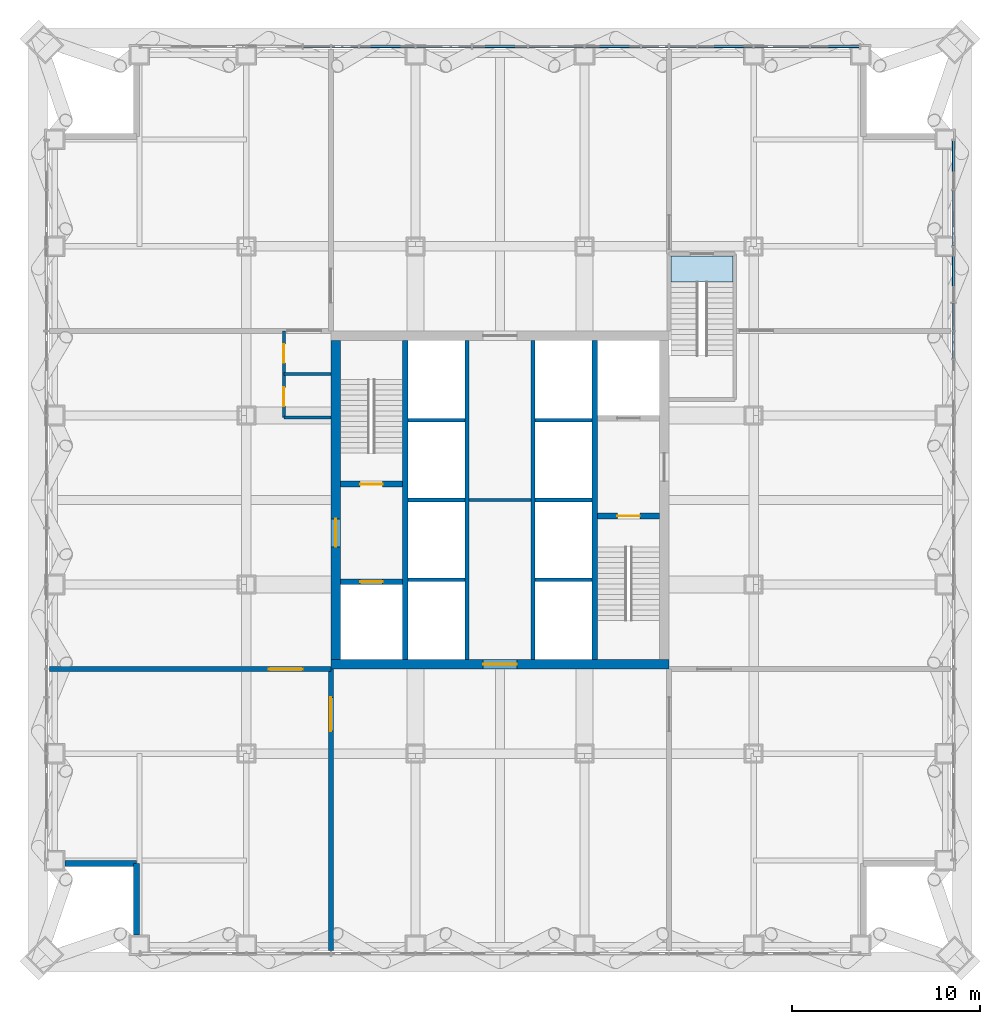
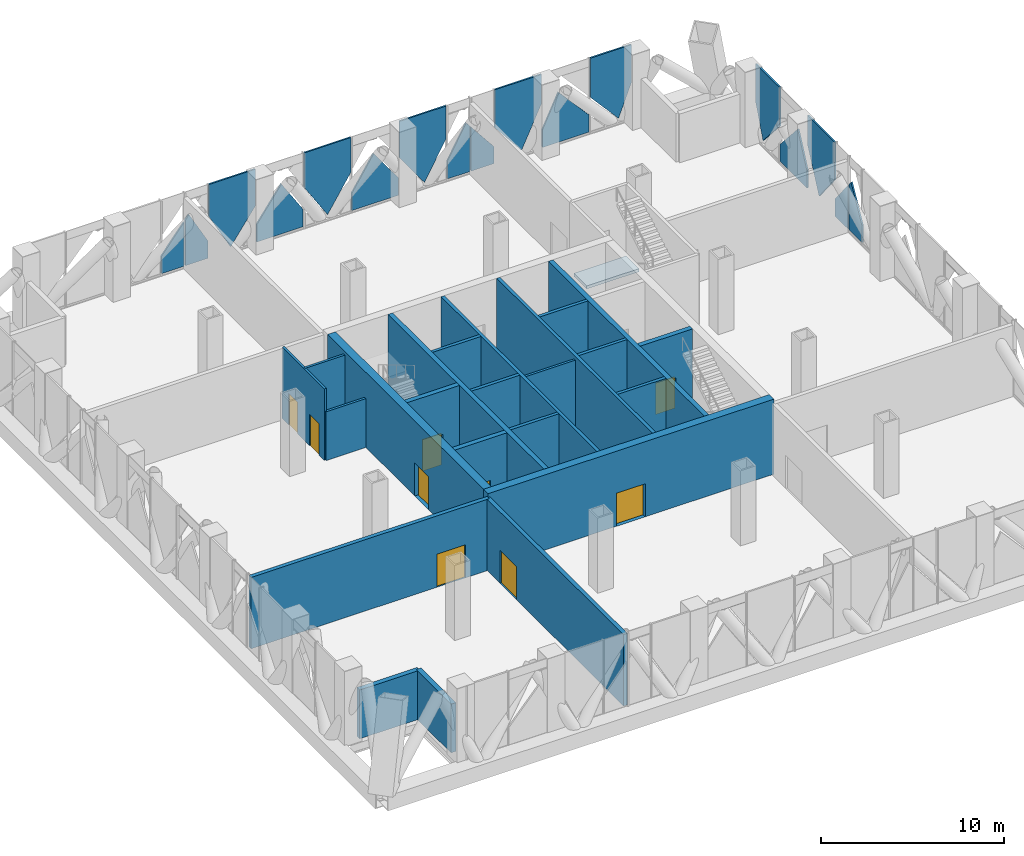
# One storey, part 14 of 29: 23 walls, 17 plates, 9 doors, 1 slab, 9 openings, 3 elements without a shape of their own.
"""IFC4 building model written with IfcOpenShell, lengths in metres."""

from ifc_helpers import new_model, si_unit, direction, frame, frame_2d, origin, place, context, subcontext, project, spatial, polyline, rectangle, outline, extrude, material, layer, layer_set, type_object, element, fill, aggregate, save


model = new_model("IFC4")

# Units and contexts
model_context = context("Model", 3, precision=1e-05, world=origin(), true_north=direction((0.0, 1.0)))
body_context = subcontext(model_context, "Body", "Model", "MODEL_VIEW")
ifc_project = project(units=[si_unit("LENGTHUNIT", "METRE"), si_unit("AREAUNIT", "SQUARE_METRE"), si_unit("VOLUMEUNIT", "CUBIC_METRE"), si_unit("PLANEANGLEUNIT", "RADIAN"), si_unit("MASSUNIT", "GRAM", prefix="KILO")], contexts=[model_context])

# Site, building, storey
site_placement = place(None, origin())
site = spatial("IfcSite", under=ifc_project, at=site_placement, CompositionType="ELEMENT")
building_placement = place(site_placement, origin())
building = spatial("IfcBuilding", under=site, at=building_placement, Name="Malebo Sky Hospital", CompositionType="ELEMENT")
storey_placement = place(building_placement, frame((0.0, 0.0, 172.0)))
storey = spatial("IfcBuildingStorey", under=building, at=storey_placement, Name="L41", CompositionType="ELEMENT", Elevation=172.0)

# Curtain wall, plates
ifc_material_1 = material(Name="Anodised aluminium, natural silver", Category="aluminium")
ifc_layer_1 = layer(ifc_material_1, 0.25)
ifc_layer_set_1 = layer_set([ifc_layer_1], Name="PLANT LOUVRE SCREEN")
curtain_wall_type = type_object("IfcCurtainWallType", Name="PLANT LOUVRE SCREEN", PredefinedType="NOTDEFINED", material=ifc_layer_set_1)
curtain_wall_1_placement = place(storey_placement, origin())
curtain_wall_1 = element("IfcCurtainWall", 1, at=curtain_wall_1_placement, inside=storey, type_object=curtain_wall_type, Name="PLANT curtain wall N", PredefinedType="NOTDEFINED")
ifc_layer_2 = layer(ifc_material_1, 0.10009765625)
ifc_layer_set_2 = layer_set([ifc_layer_2], Name="LOUVRE PANEL 100")
plate_type = type_object("IfcPlateType", Name="LOUVRE PANEL 100", PredefinedType="CURTAIN_PANEL", material=ifc_layer_set_2)
plate_1_placement = place(storey_placement, frame((50.25, 86.135009765625, 0.10009765625), z_axis=(0.0, 0.0, 1.0), x_axis=(1.0, 0.0, 0.0)))
plate_1 = element("IfcPlate", 2, at=plate_1_placement, type_object=plate_type, Name="Panel 4", PredefinedType="CURTAIN_PANEL", context=body_context, shape_type="SweptSolid", body=[
    extrude(outline(polyline([(-0.71240234375, 0.0), (0.71240234375, 0.0), (0.71240234375, 2.926513671875), (-0.71240234375, 1.14404296875), (-0.71240234375, 0.0)])), frame((0.0, 0.050048828125, 0.0), z_axis=(0.0, -1.0, 0.0), x_axis=(1.0, 0.0, 0.0)), (0.0, 0.0, 1.0), 0.10009765625),
])
plate_2_placement = place(storey_placement, frame((51.75, 86.135009765625, 0.10009765625), z_axis=(0.0, 0.0, 1.0), x_axis=(1.0, 0.0, 0.0)))
plate_2 = element("IfcPlate", 3, at=plate_2_placement, type_object=plate_type, Name="Panel 5", PredefinedType="CURTAIN_PANEL", context=body_context, shape_type="SweptSolid", body=[
    extrude(outline(polyline([(-0.71240234375, 0.0), (0.71240234375, 0.0), (0.71240234375, 1.166015625), (-0.475341796875, 3.31689453125), (-0.71240234375, 3.020263671875), (-0.71240234375, 0.0)])), frame((0.0, 0.050048828125, 0.0), z_axis=(0.0, -1.0, 0.0), x_axis=(1.0, 0.0, 0.0)), (0.0, 0.0, 1.0), 0.10009765625),
])
plate_3_placement = place(storey_placement, frame((54.0, 86.135009765625, 0.36572265625), z_axis=(0.0, 0.0, 1.0), x_axis=(1.0, 0.0, 0.0)))
plate_3 = element("IfcPlate", 4, at=plate_3_placement, type_object=plate_type, Name="Panel 6", PredefinedType="CURTAIN_PANEL", context=body_context, shape_type="SweptSolid", body=[
    extrude(outline(polyline([(-0.105224609375, 0.0), (1.46240234375, 2.186279296875), (1.46240234375, 4.624267578125), (-1.46240234375, 4.624267578125), (-1.46240234375, 2.45751953125), (-0.105224609375, 0.0)])), frame((0.0, 0.050048828125, 0.0), z_axis=(0.0, -1.0, 0.0), x_axis=(1.0, 0.0, 0.0)), (0.0, 0.0, 1.0), 0.10009765625),
])
plate_4_placement = place(storey_placement, frame((57.0, 86.135009765625, 0.099853515625), z_axis=(0.0, 0.0, 1.0), x_axis=(1.0, 0.0, 0.0)))
plate_4 = element("IfcPlate", 5, at=plate_4_placement, type_object=plate_type, Name="Panel 7", PredefinedType="CURTAIN_PANEL", context=body_context, shape_type="SweptSolid", body=[
    extrude(outline(polyline([(-1.46240234375, 0.0), (1.46240234375, 0.0), (1.46240234375, 1.156982421875), (0.091552734375, 3.3173828125), (-1.46240234375, 1.14990234375), (-1.46240234375, 0.0)])), frame((0.0, 0.050048828125, 0.0), z_axis=(0.0, -1.0, 0.0), x_axis=(1.0, 0.0, 0.0)), (0.0, 0.0, 1.0), 0.10009765625),
])
plate_5_placement = place(storey_placement, frame((60.0, 86.135009765625, 0.36572265625), z_axis=(0.0, 0.0, 1.0), x_axis=(1.0, 0.0, 0.0)))
plate_5 = element("IfcPlate", 6, at=plate_5_placement, type_object=plate_type, Name="Panel 8", PredefinedType="CURTAIN_PANEL", context=body_context, shape_type="SweptSolid", body=[
    extrude(outline(polyline([(0.0, 0.0), (1.46240234375, 2.304443359375), (1.46240234375, 4.624267578125), (-1.46240234375, 4.624267578125), (-1.46240234375, 2.304443359375), (0.0, 0.0)])), frame((0.0, 0.050048828125, 0.0), z_axis=(0.0, -1.0, 0.0), x_axis=(1.0, 0.0, 0.0)), (0.0, 0.0, 1.0), 0.10009765625),
])
plate_6_placement = place(storey_placement, frame((63.0, 86.135009765625, 0.099853515625), z_axis=(0.0, 0.0, 1.0), x_axis=(1.0, 0.0, 0.0)))
plate_6 = element("IfcPlate", 7, at=plate_6_placement, type_object=plate_type, Name="Panel 9", PredefinedType="CURTAIN_PANEL", context=body_context, shape_type="SweptSolid", body=[
    extrude(outline(polyline([(-1.46240234375, 0.0), (1.46240234375, 0.0), (1.46240234375, 1.14990234375), (-0.091552734375, 3.3173828125), (-1.46240234375, 1.156982421875), (-1.46240234375, 0.0)])), frame((0.0, 0.050048828125, 0.0), z_axis=(0.0, -1.0, 0.0), x_axis=(1.0, 0.0, 0.0)), (0.0, 0.0, 1.0), 0.10009765625),
])
plate_7_placement = place(storey_placement, frame((66.0, 86.135009765625, 0.36572265625), z_axis=(0.0, 0.0, 1.0), x_axis=(1.0, 0.0, 0.0)))
plate_7 = element("IfcPlate", 8, at=plate_7_placement, type_object=plate_type, Name="Panel 10", PredefinedType="CURTAIN_PANEL", context=body_context, shape_type="SweptSolid", body=[
    extrude(outline(polyline([(0.105224609375, 0.0), (1.46240234375, 2.45751953125), (1.46240234375, 4.624267578125), (-1.46240234375, 4.624267578125), (-1.46240234375, 2.186279296875), (0.105224609375, 0.0)])), frame((0.0, 0.050048828125, 0.0), z_axis=(0.0, -1.0, 0.0), x_axis=(1.0, 0.0, 0.0)), (0.0, 0.0, 1.0), 0.10009765625),
])
plate_8_placement = place(storey_placement, frame((68.25, 86.135009765625, 0.10009765625), z_axis=(0.0, 0.0, 1.0), x_axis=(1.0, 0.0, 0.0)))
plate_8 = element("IfcPlate", 9, at=plate_8_placement, type_object=plate_type, Name="Panel 11", PredefinedType="CURTAIN_PANEL", context=body_context, shape_type="SweptSolid", body=[
    extrude(outline(polyline([(-0.71240234375, 0.0), (0.71240234375, 0.0), (0.71240234375, 3.020263671875), (0.475341796875, 3.31689453125), (-0.71240234375, 1.166015625), (-0.71240234375, 0.0)])), frame((0.0, 0.050048828125, 0.0), z_axis=(0.0, -1.0, 0.0), x_axis=(1.0, 0.0, 0.0)), (0.0, 0.0, 1.0), 0.10009765625),
])
plate_9_placement = place(storey_placement, frame((69.75, 86.135009765625, 0.10009765625), z_axis=(0.0, 0.0, 1.0), x_axis=(1.0, 0.0, 0.0)))
plate_9 = element("IfcPlate", 10, at=plate_9_placement, type_object=plate_type, Name="Panel 12", PredefinedType="CURTAIN_PANEL", context=body_context, shape_type="SweptSolid", body=[
    extrude(outline(polyline([(-0.71240234375, 0.0), (0.71240234375, 0.0), (0.71240234375, 1.14404296875), (-0.71240234375, 2.926513671875), (-0.71240234375, 0.0)])), frame((0.0, 0.050048828125, 0.0), z_axis=(0.0, -1.0, 0.0), x_axis=(1.0, 0.0, 0.0)), (0.0, 0.0, 1.0), 0.10009765625),
])
plate_10_placement = place(storey_placement, frame((72.0, 86.135009765625, 0.365478515625), z_axis=(0.0, 0.0, 1.0), x_axis=(1.0, 0.0, 0.0)))
plate_10 = element("IfcPlate", 11, at=plate_10_placement, type_object=plate_type, Name="Panel 13", PredefinedType="CURTAIN_PANEL", context=body_context, shape_type="SweptSolid", body=[
    extrude(outline(polyline([(0.21142578125, 0.0), (1.46240234375, 2.6630859375), (1.46240234375, 4.62451171875), (-1.46240234375, 4.62451171875), (-1.46240234375, 2.09375), (0.21142578125, 0.0)])), frame((0.0, 0.050048828125, 0.0), z_axis=(0.0, -1.0, 0.0), x_axis=(1.0, 0.0, 0.0)), (0.0, 0.0, 1.0), 0.10009765625),
])
plate_11_placement = place(storey_placement, frame((75.0, 86.135009765625, 0.10009765625), z_axis=(0.0, 0.0, 1.0), x_axis=(1.0, 0.0, 0.0)))
plate_11 = element("IfcPlate", 12, at=plate_11_placement, type_object=plate_type, Name="Panel 14", PredefinedType="CURTAIN_PANEL", context=body_context, shape_type="SweptSolid", body=[
    extrude(outline(polyline([(-1.46240234375, 0.0), (1.46240234375, 0.0), (1.46240234375, 1.13818359375), (-0.458740234375, 3.316650390625), (-1.46240234375, 1.179931640625), (-1.46240234375, 0.0)])), frame((0.0, 0.050048828125, 0.0), z_axis=(0.0, -1.0, 0.0), x_axis=(1.0, 0.0, 0.0)), (0.0, 0.0, 1.0), 0.10009765625),
])
plate_12_placement = place(storey_placement, frame((77.831298828125, 86.135009765625, 0.36376953125), z_axis=(0.0, 0.0, 1.0), x_axis=(1.0, 0.0, 0.0)))
plate_12 = element("IfcPlate", 13, at=plate_12_placement, type_object=plate_type, Name="Panel 15", PredefinedType="CURTAIN_PANEL", context=body_context, shape_type="SweptSolid", body=[
    extrude(outline(polyline([(0.488037109375, 0.0), (1.293701171875, 2.079833984375), (1.293701171875, 4.626220703125), (-1.293701171875, 4.626220703125), (-1.293701171875, 2.0205078125), (0.488037109375, 0.0)])), frame((0.0, 0.050048828125, 0.0), z_axis=(0.0, -1.0, 0.0), x_axis=(1.0, 0.0, 0.0)), (0.0, 0.0, 1.0), 0.10009765625),
])
aggregate(curtain_wall_1, [plate_1, plate_2, plate_3, plate_4, plate_5, plate_6, plate_7, plate_8, plate_9, plate_10, plate_11, plate_12])

curtain_wall_2_placement = place(storey_placement, origin())
curtain_wall_2 = element("IfcCurtainWall", 14, at=curtain_wall_2_placement, inside=storey, type_object=curtain_wall_type, Name="PLANT curtain wall E", PredefinedType="NOTDEFINED")
plate_13_placement = place(storey_placement, frame((84.135009765625, 79.831298828125, 0.36376953125), z_axis=(0.0, 0.0, 1.0), x_axis=(0.0, -1.0, 0.0)))
plate_13 = element("IfcPlate", 15, at=plate_13_placement, type_object=plate_type, Name="Panel 1", PredefinedType="CURTAIN_PANEL", context=body_context, shape_type="SweptSolid", body=[
    extrude(outline(polyline([(-0.488037109375, 0.0), (1.293701171875, 2.0205078125), (1.293701171875, 4.626220703125), (-1.293701171875, 4.626220703125), (-1.293701171875, 2.079833984375), (-0.488037109375, 0.0)])), frame((0.0, 0.050048828125, 0.0), z_axis=(0.0, -1.0, 0.0), x_axis=(1.0, 0.0, 0.0)), (0.0, 0.0, 1.0), 0.10009765625),
])
plate_14_placement = place(storey_placement, frame((84.135009765625, 77.0, 0.10009765625), z_axis=(0.0, 0.0, 1.0), x_axis=(0.0, -1.0, 0.0)))
plate_14 = element("IfcPlate", 16, at=plate_14_placement, type_object=plate_type, Name="Panel 2", PredefinedType="CURTAIN_PANEL", context=body_context, shape_type="SweptSolid", body=[
    extrude(outline(polyline([(-1.46240234375, 0.0), (1.46240234375, 0.0), (1.46240234375, 1.179931640625), (0.458740234375, 3.316650390625), (-1.46240234375, 1.13818359375), (-1.46240234375, 0.0)])), frame((0.0, 0.050048828125, 0.0), z_axis=(0.0, -1.0, 0.0), x_axis=(1.0, 0.0, 0.0)), (0.0, 0.0, 1.0), 0.10009765625),
])
plate_15_placement = place(storey_placement, frame((84.135009765625, 74.0, 0.365478515625), z_axis=(0.0, 0.0, 1.0), x_axis=(0.0, -1.0, 0.0)))
plate_15 = element("IfcPlate", 17, at=plate_15_placement, type_object=plate_type, Name="Panel 3", PredefinedType="CURTAIN_PANEL", context=body_context, shape_type="SweptSolid", body=[
    extrude(outline(polyline([(-0.21142578125, 0.0), (1.46240234375, 2.09375), (1.46240234375, 4.62451171875), (-1.46240234375, 4.62451171875), (-1.46240234375, 2.6630859375), (-0.21142578125, 0.0)])), frame((0.0, 0.050048828125, 0.0), z_axis=(0.0, -1.0, 0.0), x_axis=(1.0, 0.0, 0.0)), (0.0, 0.0, 1.0), 0.10009765625),
])
plate_16_placement = place(storey_placement, frame((84.135009765625, 71.75, 0.10009765625), z_axis=(0.0, 0.0, 1.0), x_axis=(0.0, -1.0, 0.0)))
plate_16 = element("IfcPlate", 18, at=plate_16_placement, type_object=plate_type, Name="Panel 4", PredefinedType="CURTAIN_PANEL", context=body_context, shape_type="SweptSolid", body=[
    extrude(outline(polyline([(-0.71240234375, 0.0), (0.71240234375, 0.0), (0.71240234375, 2.926513671875), (-0.71240234375, 1.14404296875), (-0.71240234375, 0.0)])), frame((0.0, 0.050048828125, 0.0), z_axis=(0.0, -1.0, 0.0), x_axis=(1.0, 0.0, 0.0)), (0.0, 0.0, 1.0), 0.10009765625),
])
plate_17_placement = place(storey_placement, frame((84.135009765625, 70.25, 0.10009765625), z_axis=(0.0, 0.0, 1.0), x_axis=(0.0, -1.0, 0.0)))
plate_17 = element("IfcPlate", 19, at=plate_17_placement, type_object=plate_type, Name="Panel 5", PredefinedType="CURTAIN_PANEL", context=body_context, shape_type="SweptSolid", body=[
    extrude(outline(polyline([(-0.71240234375, 0.0), (0.71240234375, 0.0), (0.71240234375, 1.166015625), (-0.475341796875, 3.31689453125), (-0.71240234375, 3.020263671875), (-0.71240234375, 0.0)])), frame((0.0, 0.050048828125, 0.0), z_axis=(0.0, -1.0, 0.0), x_axis=(1.0, 0.0, 0.0)), (0.0, 0.0, 1.0), 0.10009765625),
])
aggregate(curtain_wall_2, [plate_13, plate_14, plate_15, plate_16, plate_17])

# Stair, slab
ifc_material_2 = material(Name="Concrete C40/50", Category="concrete")
stair_type = type_object("IfcStairType", Name="HALF-TURN STAIR 1400 R167", PredefinedType="HALF_TURN_STAIR", material=ifc_material_2)
stair_placement = place(storey_placement, origin())
stair = element("IfcStair", 20, at=stair_placement, inside=storey, type_object=stair_type, Name="Stair S3 L41 type ST1B", PredefinedType="HALF_TURN_STAIR")
ifc_layer_3 = layer(ifc_material_2, 0.199951171875)
ifc_layer_set_3 = layer_set([ifc_layer_3], Name="STAIR LANDING 200")
slab_type = type_object("IfcSlabType", Name="STAIR LANDING 200", PredefinedType="LANDING", material=ifc_layer_set_3)
slab_placement = place(storey_placement, frame((0.0, 0.0, -0.199951171875)))
slab = element("IfcSlab", 21, at=slab_placement, type_object=slab_type, Name="S3 landing 1", PredefinedType="LANDING", context=body_context, shape_type="SweptSolid", body=[
    extrude(outline(polyline([(69.10009765625, 73.60009765625), (72.39990234375, 73.60009765625), (72.39990234375, 75.0), (69.10009765625, 75.0), (69.10009765625, 73.60009765625)])), origin(), (0.0, 0.0, 1.0), 0.199951171875),
])
aggregate(stair, [slab])

# Walls
ifc_material_3 = material(Name="Concrete C80/95", Category="concrete")
ifc_layer_4 = layer(ifc_material_3, 0.199951171875)
ifc_layer_set_4 = layer_set([ifc_layer_4], Name="CORE INNER WALL 200")
wall_type_1 = type_object("IfcWallType", Name="CORE INNER WALL 200", PredefinedType="SHEAR", material=ifc_layer_set_4)
for number, where, z_axis, x_axis, name in (
    (22, (58.25, 53.5, 0.0), (0.0, 0.0, 1.0), (0.0, 1.0, 0.0), "Core wall LW L41"),
    (23, (61.75, 53.5, 0.0), (0.0, 0.0, 1.0), (0.0, 1.0, 0.0), "Core wall LE L41"),
):
    element("IfcWall", number, at=place(storey_placement, frame(where, z_axis=z_axis, x_axis=x_axis)), inside=storey, type_object=wall_type_1, Name=name, PredefinedType="SHEAR", context=body_context, shape_type="SweptSolid", body=[
        extrude(rectangle(XDim=17.0, YDim=0.199951171875, at=frame_2d((8.5, 0.0))), origin(), (0.0, 0.0, 1.0), 5.0),
    ])
for number, where, z_axis, x_axis, name in (
    (24, (55.10009765625, 57.75, 0.0), (0.0, 0.0, 1.0), (1.0, 0.0, 0.0), "Core wall SW0 L41"),
    (25, (61.85009765625, 57.75, 0.0), (0.0, 0.0, 1.0), (1.0, 0.0, 0.0), "Core wall SE0 L41"),
    (26, (55.10009765625, 62.0, 0.0), (0.0, 0.0, 1.0), (1.0, 0.0, 0.0), "Core wall SW1 L41"),
    (27, (61.85009765625, 62.0, 0.0), (0.0, 0.0, 1.0), (1.0, 0.0, 0.0), "Core wall SE1 L41"),
    (28, (55.10009765625, 66.25, 0.0), (0.0, 0.0, 1.0), (1.0, 0.0, 0.0), "Core wall SW2 L41"),
    (29, (61.85009765625, 66.25, 0.0), (0.0, 0.0, 1.0), (1.0, 0.0, 0.0), "Core wall SE2 L41"),
):
    element("IfcWall", number, at=place(storey_placement, frame(where, z_axis=z_axis, x_axis=x_axis)), inside=storey, type_object=wall_type_1, Name=name, PredefinedType="SHEAR", context=body_context, shape_type="SweptSolid", body=[
        extrude(rectangle(XDim=3.0498046875, YDim=0.199951171875, at=frame_2d((1.52490234375, 0.0))), origin(), (0.0, 0.0, 1.0), 5.0),
    ])
ifc_layer_5 = layer(ifc_material_3, 0.300048828125)
ifc_layer_set_5 = layer_set([ifc_layer_5], Name="CORE INNER WALL 300")
wall_type_2 = type_object("IfcWallType", Name="CORE INNER WALL 300", PredefinedType="SHEAR", material=ifc_layer_set_5)
for number, where, z_axis, x_axis, name in (
    (30, (54.949951171875, 53.5, 0.0), (0.0, 0.0, 1.0), (0.0, 1.0, 0.0), "Core wall XW L41"),
    (31, (65.050048828125, 53.5, 0.0), (0.0, 0.0, 1.0), (0.0, 1.0, 0.0), "Core wall XE L41"),
):
    element("IfcWall", number, at=place(storey_placement, frame(where, z_axis=z_axis, x_axis=x_axis)), inside=storey, type_object=wall_type_2, Name=name, PredefinedType="SHEAR", context=body_context, shape_type="SweptSolid", body=[
        extrude(rectangle(XDim=17.0, YDim=0.300048828125, at=frame_2d((8.5, 0.0))), origin(), (0.0, 0.0, 1.0), 5.0),
    ])

# Wall, opening, door
wall_1_placement = place(storey_placement, frame((51.5, 62.85009765625, 0.0), z_axis=(0.0, 0.0, 1.0), x_axis=(1.0, 0.0, 0.0)))
wall_1 = element("IfcWall", 32, at=wall_1_placement, inside=storey, type_object=wall_type_2, Name="Core wall W1 L41", PredefinedType="SHEAR", context=body_context, shape_type="SweptSolid", body=[
    extrude(rectangle(XDim=3.300048828125, YDim=0.300048828125, at=frame_2d((1.64990234375, 0.0))), origin(), (0.0, 0.0, 1.0), 5.0),
])
opening_1_placement = place(wall_1_placement, frame((1.050048828125, 0.0, 0.0)))
opening_1 = element("IfcOpeningElement", 33, at=opening_1_placement, cuts=wall_1, Name="Opening D08", PredefinedType="OPENING", context=body_context, shape_type="SweptSolid", body=[
    extrude(rectangle(XDim=1.199951171875, YDim=2.10009765625, at=frame_2d((0.60009765625, 1.050048828125))), frame((0.0, 0.159912109375, 0.0), z_axis=(0.0, -1.0, 0.0), x_axis=(1.0, 0.0, 0.0)), (0.0, 0.0, 1.0), 0.320068359375),
])
ifc_material_4 = material(Name="Hardwood-faced door leaf in steel frame", Category="steel")
door_type_1 = type_object("IfcDoorType", Name="STAIR DOOR 1200", OperationType="SINGLE_SWING_LEFT", PredefinedType="DOOR", material=ifc_material_4)
door_1_placement = place(opening_1_placement, origin())
door_1 = element("IfcDoor", 34, at=door_1_placement, inside=storey, type_object=door_type_1, Name="Stair S1 door", OperationType="SINGLE_SWING_LEFT", OverallHeight=2.10009765625, OverallWidth=1.199951171875, PredefinedType="DOOR", context=body_context, shape_type="SweptSolid", body=[
    extrude(rectangle(XDim=1.199951171875, YDim=2.10009765625, at=frame_2d((0.60009765625, 1.050048828125))), frame((0.0, 0.02490234375, 0.0), z_axis=(0.0, -1.0, 0.0), x_axis=(1.0, 0.0, 0.0)), (0.0, 0.0, 1.0), 0.050048828125),
])
fill(opening_1, door_1)

wall_2_placement = place(storey_placement, frame((51.5, 57.64990234375, 0.0), z_axis=(0.0, 0.0, 1.0), x_axis=(1.0, 0.0, 0.0)))
wall_2 = element("IfcWall", 35, at=wall_2_placement, inside=storey, type_object=wall_type_2, Name="Core wall W2 L41", PredefinedType="SHEAR", context=body_context, shape_type="SweptSolid", body=[
    extrude(rectangle(XDim=3.300048828125, YDim=0.300048828125, at=frame_2d((1.64990234375, 0.0))), origin(), (0.0, 0.0, 1.0), 5.0),
])
opening_2_placement = place(wall_2_placement, frame((1.050048828125, 0.0, 0.0)))
opening_2 = element("IfcOpeningElement", 36, at=opening_2_placement, cuts=wall_2, Name="Opening LD2", PredefinedType="OPENING", context=body_context, shape_type="SweptSolid", body=[
    extrude(rectangle(XDim=1.199951171875, YDim=2.199951171875, at=frame_2d((0.60009765625, 1.10009765625))), frame((0.0, 0.159912109375, 0.0), z_axis=(0.0, -1.0, 0.0), x_axis=(1.0, 0.0, 0.0)), (0.0, 0.0, 1.0), 0.320068359375),
])
ifc_material_5 = material(Name="Stainless steel sliding landing door", Category="steel")
door_type_2 = type_object("IfcDoorType", Name="FIRE-FIGHTING LIFT LANDING DOOR 1200", OperationType="SLIDING_TO_LEFT", PredefinedType="DOOR", material=ifc_material_5)
door_2_placement = place(opening_2_placement, origin())
door_2 = element("IfcDoor", 37, at=door_2_placement, inside=storey, type_object=door_type_2, Name="Lift FL1 landing door", OperationType="SLIDING_TO_LEFT", OverallHeight=2.199951171875, OverallWidth=1.199951171875, PredefinedType="DOOR", context=body_context, shape_type="SweptSolid", body=[
    extrude(rectangle(XDim=1.199951171875, YDim=2.199951171875, at=frame_2d((0.60009765625, 1.10009765625))), frame((0.0, 0.02490234375, 0.0), z_axis=(0.0, -1.0, 0.0), x_axis=(1.0, 0.0, 0.0)), (0.0, 0.0, 1.0), 0.050048828125),
])
fill(opening_2, door_2)

wall_3_placement = place(storey_placement, frame((65.199951171875, 61.14990234375, 0.0), z_axis=(0.0, 0.0, 1.0), x_axis=(1.0, 0.0, 0.0)))
wall_3 = element("IfcWall", 38, at=wall_3_placement, inside=storey, type_object=wall_type_2, Name="Core wall E1 L41", PredefinedType="SHEAR", context=body_context, shape_type="SweptSolid", body=[
    extrude(rectangle(XDim=3.300048828125, YDim=0.300048828125, at=frame_2d((1.64990234375, 0.0))), origin(), (0.0, 0.0, 1.0), 5.0),
])
opening_3_placement = place(wall_3_placement, frame((1.050048828125, 0.0, 0.0)))
opening_3 = element("IfcOpeningElement", 39, at=opening_3_placement, cuts=wall_3, Name="Opening D08", PredefinedType="OPENING", context=body_context, shape_type="SweptSolid", body=[
    extrude(rectangle(XDim=1.199951171875, YDim=2.10009765625, at=frame_2d((0.60009765625, 1.050048828125))), frame((0.0, 0.159912109375, 0.0), z_axis=(0.0, -1.0, 0.0), x_axis=(1.0, 0.0, 0.0)), (0.0, 0.0, 1.0), 0.320068359375),
])
door_3_placement = place(opening_3_placement, origin())
door_3 = element("IfcDoor", 40, at=door_3_placement, inside=storey, type_object=door_type_1, Name="Stair S2 door", OperationType="SINGLE_SWING_LEFT", OverallHeight=2.10009765625, OverallWidth=1.199951171875, PredefinedType="DOOR", context=body_context, shape_type="SweptSolid", body=[
    extrude(rectangle(XDim=1.199951171875, YDim=2.10009765625, at=frame_2d((0.60009765625, 1.050048828125))), frame((0.0, 0.02490234375, 0.0), z_axis=(0.0, -1.0, 0.0), x_axis=(1.0, 0.0, 0.0)), (0.0, 0.0, 1.0), 0.050048828125),
])
fill(opening_3, door_3)

ifc_layer_6 = layer(ifc_material_3, 0.5)
ifc_layer_set_6 = layer_set([ifc_layer_6], Name="CORE WALL 500")
wall_type_3 = type_object("IfcWallType", Name="CORE WALL 500", PredefinedType="SHEAR", material=ifc_layer_set_6)
wall_4_placement = place(storey_placement, frame((51.0, 53.25, 0.0), z_axis=(0.0, 0.0, 1.0), x_axis=(1.0, 0.0, 0.0)))
wall_4 = element("IfcWall", 41, at=wall_4_placement, inside=storey, type_object=wall_type_3, Name="Core wall S L41", PredefinedType="SHEAR", context=body_context, shape_type="SweptSolid", body=[
    extrude(rectangle(XDim=18.0, YDim=0.5, at=frame_2d((9.0, 0.0))), origin(), (0.0, 0.0, 1.0), 5.0),
])
opening_4_placement = place(wall_4_placement, frame((8.10009765625, 0.0, 0.0)))
opening_4 = element("IfcOpeningElement", 42, at=opening_4_placement, cuts=wall_4, Name="Opening D06", PredefinedType="OPENING", context=body_context, shape_type="SweptSolid", body=[
    extrude(rectangle(XDim=1.800048828125, YDim=2.199951171875, at=frame_2d((0.89990234375, 1.10009765625))), frame((0.0, 0.260009765625, 0.0), z_axis=(0.0, -1.0, 0.0), x_axis=(1.0, 0.0, 0.0)), (0.0, 0.0, 1.0), 0.52001953125),
])
door_type_3 = type_object("IfcDoorType", Name="LOBBY DOOR PAIR 1800", OperationType="DOUBLE_DOOR_SINGLE_SWING", PredefinedType="DOOR", material=ifc_material_4)
door_4_placement = place(opening_4_placement, origin())
door_4 = element("IfcDoor", 43, at=door_4_placement, inside=storey, type_object=door_type_3, Name="Core plant room door", OperationType="DOUBLE_DOOR_SINGLE_SWING", OverallHeight=2.199951171875, OverallWidth=1.800048828125, PredefinedType="DOOR", context=body_context, shape_type="SweptSolid", body=[
    extrude(rectangle(XDim=1.800048828125, YDim=2.199951171875, at=frame_2d((0.89990234375, 1.10009765625))), frame((0.0, 0.02490234375, 0.0), z_axis=(0.0, -1.0, 0.0), x_axis=(1.0, 0.0, 0.0)), (0.0, 0.0, 1.0), 0.050048828125),
])
fill(opening_4, door_4)

wall_5_placement = place(storey_placement, frame((51.25, 53.5, 0.0), z_axis=(0.0, 0.0, 1.0), x_axis=(0.0, 1.0, 0.0)))
wall_5 = element("IfcWall", 44, at=wall_5_placement, inside=storey, type_object=wall_type_3, Name="Core wall W L41", PredefinedType="SHEAR", context=body_context, shape_type="SweptSolid", body=[
    extrude(rectangle(XDim=17.0, YDim=0.5, at=frame_2d((8.5, 0.0))), origin(), (0.0, 0.0, 1.0), 5.0),
])
opening_5_placement = place(wall_5_placement, frame((6.0, 0.0, 0.0)))
opening_5 = element("IfcOpeningElement", 45, at=opening_5_placement, cuts=wall_5, Name="Opening D07", PredefinedType="OPENING", context=body_context, shape_type="SweptSolid", body=[
    extrude(rectangle(XDim=1.5, YDim=2.199951171875, at=frame_2d((0.75, 1.10009765625))), frame((0.0, 0.260009765625, 0.0), z_axis=(0.0, -1.0, 0.0), x_axis=(1.0, 0.0, 0.0)), (0.0, 0.0, 1.0), 0.52001953125),
])
door_type_4 = type_object("IfcDoorType", Name="FIRE-FIGHTING LOBBY DOOR PAIR 1500", OperationType="DOUBLE_DOOR_SINGLE_SWING", PredefinedType="DOOR", material=ifc_material_4)
door_5_placement = place(opening_5_placement, origin())
door_5 = element("IfcDoor", 46, at=door_5_placement, inside=storey, type_object=door_type_4, Name="Fire-fighting lobby door west", OperationType="DOUBLE_DOOR_SINGLE_SWING", OverallHeight=2.199951171875, OverallWidth=1.5, PredefinedType="DOOR", context=body_context, shape_type="SweptSolid", body=[
    extrude(rectangle(XDim=1.5, YDim=2.199951171875, at=frame_2d((0.75, 1.10009765625))), frame((0.0, 0.02490234375, 0.0), z_axis=(0.0, -1.0, 0.0), x_axis=(1.0, 0.0, 0.0)), (0.0, 0.0, 1.0), 0.050048828125),
])
fill(opening_5, door_5)

# Walls
ifc_material_6 = material(Name="Anodised aluminium rainscreen on steel framing", Category="steel")
ifc_layer_7 = layer(ifc_material_6, 0.300048828125)
ifc_layer_set_7 = layer_set([ifc_layer_7], Name="NOTCH RAINSCREEN WALL 300")
wall_type_4 = type_object("IfcWallType", Name="NOTCH RAINSCREEN WALL 300", PredefinedType="ELEMENTEDWALL", material=ifc_layer_set_7)
for number, where, z_axis, x_axis, name in (
    (47, (40.64990234375, 38.85009765625, 0.0), (0.0, 0.0, 1.0), (0.0, 1.0, 0.0), "Notch rainscreen wall S1 L41"),
    (48, (40.64990234375, 42.64990234375, 0.0), (0.0, 0.0, 1.0), (-1.0, 0.0, 0.0), "Notch rainscreen wall S2 L41"),
):
    element("IfcWall", number, at=place(storey_placement, frame(where, z_axis=z_axis, x_axis=x_axis)), inside=storey, type_object=wall_type_4, Name=name, PredefinedType="ELEMENTEDWALL", context=body_context, shape_type="SweptSolid", body=[
        extrude(rectangle(XDim=3.7998046875, YDim=0.300048828125, at=frame_2d((1.89990234375, 0.0))), origin(), (0.0, 0.0, 1.0), 3.25),
    ])

# Wall, openings, doors
ifc_material_7 = material(Name="Gypsum board on steel studs", Category="steel")
ifc_layer_8 = layer(ifc_material_7, 0.14990234375)
ifc_layer_set_8 = layer_set([ifc_layer_8], Name="PARTITION 150")
wall_type_5 = type_object("IfcWallType", Name="PARTITION 150", PredefinedType="PARTITIONING", material=ifc_layer_set_8)
wall_6_placement = place(storey_placement, frame((48.5, 66.39990234375, 0.0), z_axis=(0.0, 0.0, 1.0), x_axis=(0.0, 1.0, 0.0)))
wall_6 = element("IfcWall", 49, at=wall_6_placement, inside=storey, type_object=wall_type_5, Name="Partition 150 WCF", PredefinedType="PARTITIONING", context=body_context, shape_type="SweptSolid", body=[
    extrude(rectangle(XDim=4.60009765625, YDim=0.14990234375, at=frame_2d((2.300048828125, 0.0))), origin(), (0.0, 0.0, 1.0), 4.75),
])
opening_6_placement = place(wall_6_placement, frame((0.60009765625, 0.0, 0.0)))
opening_6 = element("IfcOpeningElement", 50, at=opening_6_placement, cuts=wall_6, Name="Opening D03", PredefinedType="OPENING", context=body_context, shape_type="SweptSolid", body=[
    extrude(rectangle(XDim=1.0, YDim=2.10009765625, at=frame_2d((0.5, 1.050048828125))), frame((0.0, 0.0849609375, 0.0), z_axis=(0.0, -1.0, 0.0), x_axis=(1.0, 0.0, 0.0)), (0.0, 0.0, 1.0), 0.169921875),
])
opening_7_placement = place(wall_6_placement, frame((2.89990234375, 0.0, 0.0)))
opening_7 = element("IfcOpeningElement", 51, at=opening_7_placement, cuts=wall_6, Name="Opening D03", PredefinedType="OPENING", context=body_context, shape_type="SweptSolid", body=[
    extrude(rectangle(XDim=1.0, YDim=2.10009765625, at=frame_2d((0.5, 1.050048828125))), frame((0.0, 0.0849609375, 0.0), z_axis=(0.0, -1.0, 0.0), x_axis=(1.0, 0.0, 0.0)), (0.0, 0.0, 1.0), 0.169921875),
])
door_type_5 = type_object("IfcDoorType", Name="ROOM DOOR 1000", OperationType="SINGLE_SWING_LEFT", PredefinedType="DOOR", material=ifc_material_4)
door_6_placement = place(opening_6_placement, origin())
door_6 = element("IfcDoor", 52, at=door_6_placement, inside=storey, type_object=door_type_5, Name="Staff WC door", OperationType="SINGLE_SWING_LEFT", OverallHeight=2.10009765625, OverallWidth=1.0, PredefinedType="DOOR", context=body_context, shape_type="SweptSolid", body=[
    extrude(rectangle(XDim=1.0, YDim=2.10009765625, at=frame_2d((0.5, 1.050048828125))), frame((0.0, 0.02490234375, 0.0), z_axis=(0.0, -1.0, 0.0), x_axis=(1.0, 0.0, 0.0)), (0.0, 0.0, 1.0), 0.050048828125),
])
fill(opening_6, door_6)
door_7_placement = place(opening_7_placement, origin())
door_7 = element("IfcDoor", 53, at=door_7_placement, inside=storey, type_object=door_type_5, Name="Accessible WC door", OperationType="SINGLE_SWING_LEFT", OverallHeight=2.10009765625, OverallWidth=1.0, PredefinedType="DOOR", context=body_context, shape_type="SweptSolid", body=[
    extrude(rectangle(XDim=1.0, YDim=2.10009765625, at=frame_2d((0.5, 1.050048828125))), frame((0.0, 0.02490234375, 0.0), z_axis=(0.0, -1.0, 0.0), x_axis=(1.0, 0.0, 0.0)), (0.0, 0.0, 1.0), 0.050048828125),
])
fill(opening_7, door_7)

# Walls
wall_7_placement = place(storey_placement, frame((51.0, 66.39990234375, 0.0), z_axis=(0.0, 0.0, 1.0), x_axis=(-1.0, 0.0, 0.0)))
element("IfcWall", 54, at=wall_7_placement, inside=storey, type_object=wall_type_5, Name="Partition 150 WCE", PredefinedType="PARTITIONING", context=body_context, shape_type="SweptSolid", body=[
    extrude(rectangle(XDim=2.5, YDim=0.14990234375, at=frame_2d((1.25, 0.0))), origin(), (0.0, 0.0, 1.0), 3.25),
])
wall_8_placement = place(storey_placement, frame((51.0, 68.699951171875, 0.0), z_axis=(0.0, 0.0, 1.0), x_axis=(-1.0, 0.0, 0.0)))
element("IfcWall", 55, at=wall_8_placement, inside=storey, type_object=wall_type_5, Name="Partition 150 WCM", PredefinedType="PARTITIONING", context=body_context, shape_type="SweptSolid", body=[
    extrude(rectangle(XDim=2.5, YDim=0.14990234375, at=frame_2d((1.25, 0.0))), origin(), (0.0, 0.0, 1.0), 4.75),
])
wall_9_placement = place(storey_placement, frame((58.35009765625, 62.0, 0.0), z_axis=(0.0, 0.0, 1.0), x_axis=(1.0, 0.0, 0.0)))
element("IfcWall", 56, at=wall_9_placement, inside=storey, type_object=wall_type_5, Name="Partition 150 LB", PredefinedType="PARTITIONING", context=body_context, shape_type="SweptSolid", body=[
    extrude(rectangle(XDim=3.2998046875, YDim=0.14990234375, at=frame_2d((1.64990234375, 0.0))), origin(), (0.0, 0.0, 1.0), 4.75),
])

# Wall, opening, door
ifc_material_8 = material(Name="Concrete blockwork", Category="masonry")
ifc_layer_9 = layer(ifc_material_8, 0.25)
ifc_layer_set_9 = layer_set([ifc_layer_9], Name="PLANT ROOM WALL 250")
wall_type_6 = type_object("IfcWallType", Name="PLANT ROOM WALL 250", PredefinedType="SOLIDWALL", material=ifc_layer_set_9)
wall_10_placement = place(storey_placement, frame((51.0, 53.0, 0.0), z_axis=(0.0, 0.0, 1.0), x_axis=(-1.0, 0.0, 0.0)))
wall_10 = element("IfcWall", 57, at=wall_10_placement, inside=storey, type_object=wall_type_6, Name="Plant Room Wall 250 WP8", PredefinedType="SOLIDWALL", context=body_context, shape_type="SweptSolid", body=[
    extrude(rectangle(XDim=14.985107421875, YDim=0.25, at=frame_2d((7.49267578125, 0.0))), origin(), (0.0, 0.0, 1.0), 4.75),
])
opening_8_placement = place(wall_10_placement, frame((1.5, 0.0, 0.0)))
opening_8 = element("IfcOpeningElement", 58, at=opening_8_placement, cuts=wall_10, Name="Opening D09", PredefinedType="OPENING", context=body_context, shape_type="SweptSolid", body=[
    extrude(rectangle(XDim=1.800048828125, YDim=2.199951171875, at=frame_2d((0.89990234375, 1.10009765625))), frame((0.0, 0.135009765625, 0.0), z_axis=(0.0, -1.0, 0.0), x_axis=(1.0, 0.0, 0.0)), (0.0, 0.0, 1.0), 0.27001953125),
])
door_type_6 = type_object("IfcDoorType", Name="PLANT ROOM DOOR PAIR 1800", OperationType="DOUBLE_DOOR_SINGLE_SWING", PredefinedType="DOOR", material=ifc_material_4)
door_8_placement = place(opening_8_placement, origin())
door_8 = element("IfcDoor", 59, at=door_8_placement, inside=storey, type_object=door_type_6, Name="Refuge area west door", OperationType="DOUBLE_DOOR_SINGLE_SWING", OverallHeight=2.199951171875, OverallWidth=1.800048828125, PredefinedType="DOOR", context=body_context, shape_type="SweptSolid", body=[
    extrude(rectangle(XDim=1.800048828125, YDim=2.199951171875, at=frame_2d((0.89990234375, 1.10009765625))), frame((0.0, 0.02490234375, 0.0), z_axis=(0.0, -1.0, 0.0), x_axis=(1.0, 0.0, 0.0)), (0.0, 0.0, 1.0), 0.050048828125),
])
fill(opening_8, door_8)

wall_11_placement = place(storey_placement, frame((51.0, 53.0, 0.0), z_axis=(0.0, 0.0, 1.0), x_axis=(0.0, -1.0, 0.0)))
wall_11 = element("IfcWall", 60, at=wall_11_placement, inside=storey, type_object=wall_type_6, Name="Plant Room Wall 250 SP9", PredefinedType="SOLIDWALL", context=body_context, shape_type="SweptSolid", body=[
    extrude(rectangle(XDim=14.985107421875, YDim=0.25, at=frame_2d((7.49267578125, 0.0))), origin(), (0.0, 0.0, 1.0), 4.75),
])
opening_9_placement = place(wall_11_placement, frame((1.5, 0.0, 0.0)))
opening_9 = element("IfcOpeningElement", 61, at=opening_9_placement, cuts=wall_11, Name="Opening D09", PredefinedType="OPENING", context=body_context, shape_type="SweptSolid", body=[
    extrude(rectangle(XDim=1.800048828125, YDim=2.199951171875, at=frame_2d((0.89990234375, 1.10009765625))), frame((0.0, 0.135009765625, 0.0), z_axis=(0.0, -1.0, 0.0), x_axis=(1.0, 0.0, 0.0)), (0.0, 0.0, 1.0), 0.27001953125),
])
door_9_placement = place(opening_9_placement, origin())
door_9 = element("IfcDoor", 62, at=door_9_placement, inside=storey, type_object=door_type_6, Name="Electrical switch room door", OperationType="DOUBLE_DOOR_SINGLE_SWING", OverallHeight=2.199951171875, OverallWidth=1.800048828125, PredefinedType="DOOR", context=body_context, shape_type="SweptSolid", body=[
    extrude(rectangle(XDim=1.800048828125, YDim=2.199951171875, at=frame_2d((0.89990234375, 1.10009765625))), frame((0.0, 0.02490234375, 0.0), z_axis=(0.0, -1.0, 0.0), x_axis=(1.0, 0.0, 0.0)), (0.0, 0.0, 1.0), 0.050048828125),
])
fill(opening_9, door_9)

save(model, "model.ifc")
